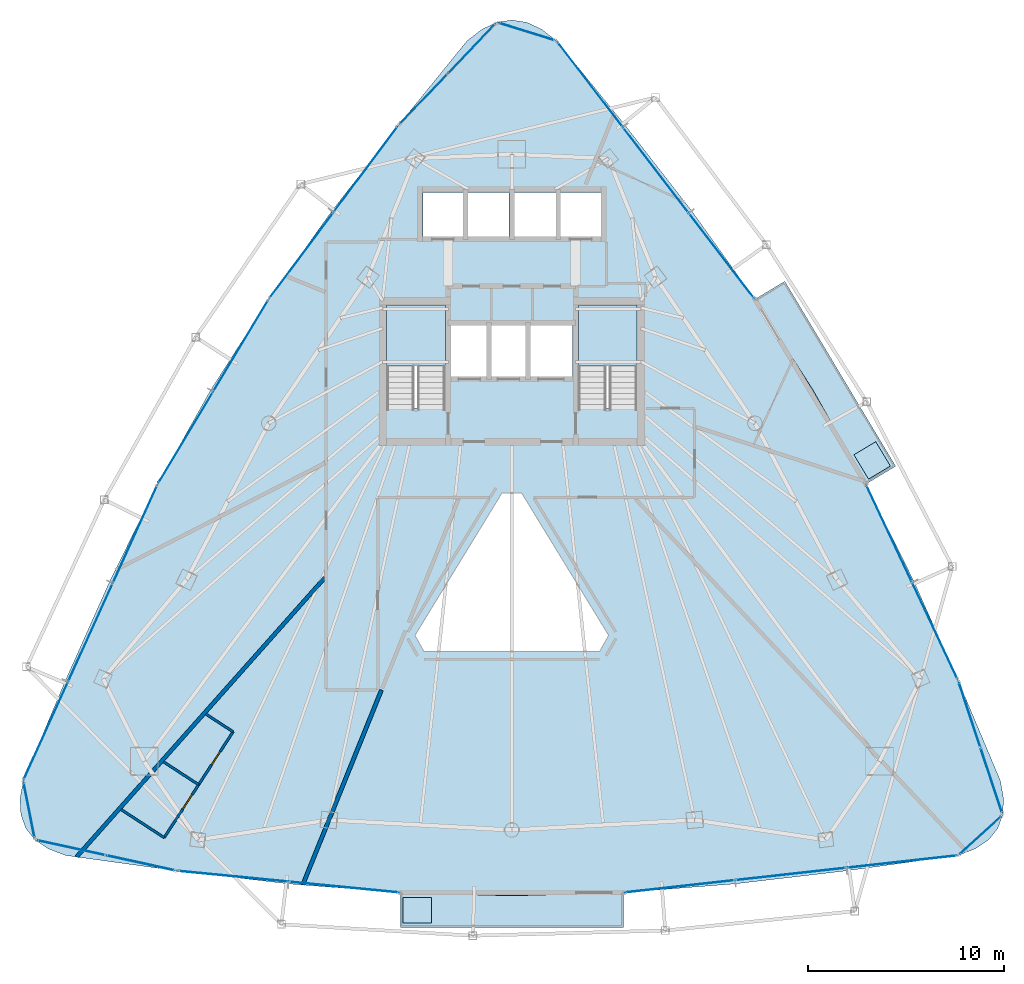
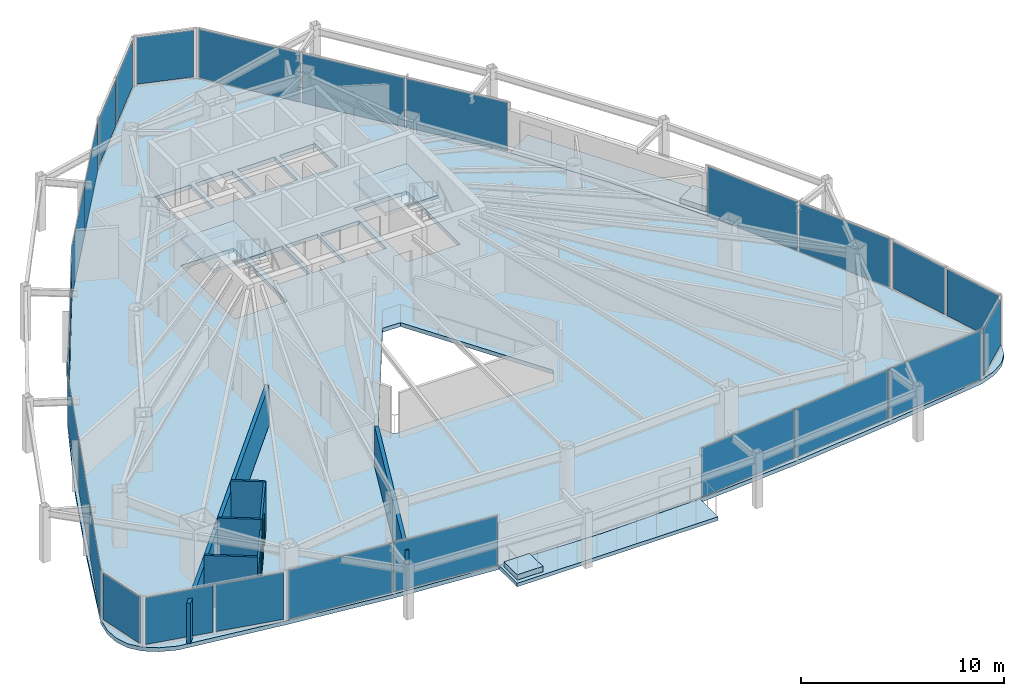
# One storey, part 26 of 31: 26 plates, 7 slabs, 7 walls, 2 doors, 2 openings, 15 elements without a shape of their own.
"""IFC4 building model written with IfcOpenShell, lengths in metres."""

from ifc_helpers import new_model, si_unit, direction, frame, frame_2d, origin, origin_2d, place, context, subcontext, project, spatial, polyline, rectangle, outline, extrude, material, layer, layer_set, type_object, element, fill, aggregate, save


model = new_model("IFC4")

# Units and contexts
model_context = context("Model", 3, precision=1e-05, world=origin(), true_north=direction((0.0, 1.0)))
body_context = subcontext(model_context, "Body", "Model", "MODEL_VIEW")
ifc_project = project(units=[si_unit("LENGTHUNIT", "METRE"), si_unit("AREAUNIT", "SQUARE_METRE"), si_unit("VOLUMEUNIT", "CUBIC_METRE"), si_unit("PLANEANGLEUNIT", "RADIAN"), si_unit("MASSUNIT", "GRAM", prefix="KILO")], contexts=[model_context])

# Site, building, storey
site_placement = place(None, origin())
site = spatial("IfcSite", under=ifc_project, at=site_placement, CompositionType="ELEMENT")
building_placement = place(site_placement, origin())
building = spatial("IfcBuilding", under=site, at=building_placement, Name="Orvanel Arch Residences", CompositionType="ELEMENT")
storey_placement = place(building_placement, frame((0.0, 0.0, 153.949951171875)))
storey = spatial("IfcBuildingStorey", under=building, at=storey_placement, Name="L43", CompositionType="ELEMENT", Elevation=153.949951171875)

# Curtain wall, plates
ifc_material_1 = material(Name="Bronze-anodised aluminium AA6063-T6", Category="aluminium")
ifc_layer_1 = layer(ifc_material_1, 0.179931640625)
ifc_layer_set_1 = layer_set([ifc_layer_1], Name="Bronze-anodised aluminium AA6063-T6")
curtain_wall_type_1 = type_object("IfcCurtainWallType", Name="CW3-MID-SYS", PredefinedType="NOTDEFINED", material=ifc_layer_set_1)
curtain_wall_1_placement = place(storey_placement, origin())
curtain_wall_1 = element("IfcCurtainWall", 1, at=curtain_wall_1_placement, inside=storey, type_object=curtain_wall_type_1, Name="L43 CW3-MID-SYS Unitised Curtain Wall", PredefinedType="NOTDEFINED")
ifc_material_2 = material(Name="Double-glazed solar-control low-E safety glass", Category="glass")
ifc_layer_2 = layer(ifc_material_2, 0.028076171875)
ifc_layer_set_2 = layer_set([ifc_layer_2], Name="Double-glazed solar-control low-E safety glass")
plate_type_1 = type_object("IfcPlateType", Name="PNL-GLZ-28", PredefinedType="CURTAIN_PANEL", material=ifc_layer_set_2)
plate_1_placement = place(storey_placement, frame((25.520751953125, 40.6259765625, 0.06005859375), z_axis=(0.0, 0.0, 1.0), x_axis=(-0.597911652775, -0.801562009751, 0.0)))
plate_1 = element("IfcPlate", 2, at=plate_1_placement, type_object=plate_type_1, Name="CW-S3 panel 1.1", PredefinedType="CURTAIN_PANEL", context=body_context, shape_type="SweptSolid", body=[
    extrude(rectangle(XDim=5.416748046875, YDim=0.028076171875, at=origin_2d()), origin(), (0.0, 0.0, 1.0), 2.93994140625),
])
plate_2_placement = place(storey_placement, frame((22.240234375, 36.22802734375, 0.06005859375), z_axis=(0.0, 0.0, 1.0), x_axis=(-0.597911652775, -0.801562009751, 0.0)))
plate_2 = element("IfcPlate", 3, at=plate_2_placement, type_object=plate_type_1, Name="CW-S3 panel 2.1", PredefinedType="CURTAIN_PANEL", context=body_context, shape_type="SweptSolid", body=[
    extrude(rectangle(XDim=5.416748046875, YDim=0.028076171875, at=origin_2d()), origin(), (0.0, 0.0, 1.0), 2.93994140625),
])
aggregate(curtain_wall_1, [plate_1, plate_2])

curtain_wall_2_placement = place(storey_placement, origin())
curtain_wall_2 = element("IfcCurtainWall", 4, at=curtain_wall_2_placement, inside=storey, type_object=curtain_wall_type_1, Name="L43 CW3-MID-SYS Unitised Curtain Wall", PredefinedType="NOTDEFINED")
plate_3_placement = place(storey_placement, frame((19.135009765625, 31.597412109375, 0.06005859375), z_axis=(0.0, 0.0, 1.0), x_axis=(-0.514415446021, -0.857541106242, 0.0)))
plate_3 = element("IfcPlate", 5, at=plate_3_placement, type_object=plate_type_1, Name="CW-S3 panel 1.1", PredefinedType="CURTAIN_PANEL", context=body_context, shape_type="SweptSolid", body=[
    extrude(rectangle(XDim=5.388671875, YDim=0.028076171875, at=origin_2d()), origin(), (0.0, 0.0, 1.0), 2.93994140625),
])
plate_4_placement = place(storey_placement, frame((16.326904296875, 26.91650390625, 0.06005859375), z_axis=(0.0, 0.0, 1.0), x_axis=(-0.514415446021, -0.857541106242, 0.0)))
plate_4 = element("IfcPlate", 6, at=plate_4_placement, type_object=plate_type_1, Name="CW-S3 panel 2.1", PredefinedType="CURTAIN_PANEL", context=body_context, shape_type="SweptSolid", body=[
    extrude(rectangle(XDim=5.388671875, YDim=0.028076171875, at=origin_2d()), origin(), (0.0, 0.0, 1.0), 2.93994140625),
])
aggregate(curtain_wall_2, [plate_3, plate_4])

curtain_wall_3_placement = place(storey_placement, origin())
curtain_wall_3 = element("IfcCurtainWall", 7, at=curtain_wall_3_placement, inside=storey, type_object=curtain_wall_type_1, Name="L43 CW3-MID-SYS Unitised Curtain Wall", PredefinedType="NOTDEFINED")
plate_5_placement = place(storey_placement, frame((13.73583984375, 21.97412109375, 0.06005859375), z_axis=(0.0, 0.0, 1.0), x_axis=(-0.413181425091, -0.910648730279, 0.0)))
plate_5 = element("IfcPlate", 8, at=plate_5_placement, type_object=plate_type_1, Name="CW-S3 panel 1.1", PredefinedType="CURTAIN_PANEL", context=body_context, shape_type="SweptSolid", body=[
    extrude(rectangle(XDim=5.431640625, YDim=0.028076171875, at=origin_2d()), origin(), (0.0, 0.0, 1.0), 2.93994140625),
])
plate_6_placement = place(storey_placement, frame((11.45556640625, 16.947998046875, 0.06005859375), z_axis=(0.0, 0.0, 1.0), x_axis=(-0.413181425091, -0.910648730279, 0.0)))
plate_6 = element("IfcPlate", 9, at=plate_6_placement, type_object=plate_type_1, Name="CW-S3 panel 2.1", PredefinedType="CURTAIN_PANEL", context=body_context, shape_type="SweptSolid", body=[
    extrude(rectangle(XDim=5.466796875, YDim=0.028076171875, at=origin_2d()), origin(), (0.0, 0.0, 1.0), 2.93994140625),
])
plate_7_placement = place(storey_placement, frame((9.175048828125, 11.921875, 0.06005859375), z_axis=(0.0, 0.0, 1.0), x_axis=(-0.413181425091, -0.910648730279, 0.0)))
plate_7 = element("IfcPlate", 10, at=plate_7_placement, type_object=plate_type_1, Name="CW-S3 panel 3.1", PredefinedType="CURTAIN_PANEL", context=body_context, shape_type="SweptSolid", body=[
    extrude(rectangle(XDim=5.431640625, YDim=0.028076171875, at=origin_2d()), origin(), (0.0, 0.0, 1.0), 2.93994140625),
])
aggregate(curtain_wall_3, [plate_5, plate_6, plate_7])

curtain_wall_4_placement = place(storey_placement, origin())
curtain_wall_4 = element("IfcCurtainWall", 11, at=curtain_wall_4_placement, inside=storey, type_object=curtain_wall_type_1, Name="L43 CW3-MID-SYS Unitised Curtain Wall", PredefinedType="NOTDEFINED")
plate_8_placement = place(storey_placement, frame((18.7666015625, 4.47314453125, 0.06005859375), z_axis=(0.0, 0.0, 1.0), x_axis=(0.995276078249, -0.097085158831, 0.0)))
plate_8 = element("IfcPlate", 12, at=plate_8_placement, type_object=plate_type_1, Name="CW-S3 panel 1.1", PredefinedType="CURTAIN_PANEL", context=body_context, shape_type="SweptSolid", body=[
    extrude(rectangle(XDim=5.6064453125, YDim=0.028076171875, at=origin_2d()), origin(), (0.0, 0.0, 1.0), 2.93994140625),
])
plate_9_placement = place(storey_placement, frame((24.416259765625, 3.921875, 0.06005859375), z_axis=(0.0, 0.0, 1.0), x_axis=(0.995276078249, -0.097085158831, 0.0)))
plate_9 = element("IfcPlate", 13, at=plate_9_placement, type_object=plate_type_1, Name="CW-S3 panel 2.1", PredefinedType="CURTAIN_PANEL", context=body_context, shape_type="SweptSolid", body=[
    extrude(rectangle(XDim=5.6064453125, YDim=0.028076171875, at=origin_2d()), origin(), (0.0, 0.0, 1.0), 2.93994140625),
])
aggregate(curtain_wall_4, [plate_8, plate_9])

curtain_wall_5_placement = place(storey_placement, origin())
curtain_wall_5 = element("IfcCurtainWall", 14, at=curtain_wall_5_placement, inside=storey, type_object=curtain_wall_type_1, Name="L43 CW3-MID-SYS Unitised Curtain Wall", PredefinedType="NOTDEFINED")
plate_10_placement = place(storey_placement, frame((41.5869140625, 3.9609375, 0.06005859375), z_axis=(0.0, 0.0, 1.0), x_axis=(0.993890122368, 0.110374021666, 0.0)))
plate_10 = element("IfcPlate", 15, at=plate_10_placement, type_object=plate_type_1, Name="CW-S3 panel 1.1", PredefinedType="CURTAIN_PANEL", context=body_context, shape_type="SweptSolid", body=[
    extrude(rectangle(XDim=5.62109375, YDim=0.028076171875, at=origin_2d()), origin(), (0.0, 0.0, 1.0), 2.93994140625),
])
plate_11_placement = place(storey_placement, frame((47.260498046875, 4.591064453125, 0.06005859375), z_axis=(0.0, 0.0, 1.0), x_axis=(0.993890122368, 0.110374021666, 0.0)))
plate_11 = element("IfcPlate", 16, at=plate_11_placement, type_object=plate_type_1, Name="CW-S3 panel 2.1", PredefinedType="CURTAIN_PANEL", context=body_context, shape_type="SweptSolid", body=[
    extrude(rectangle(XDim=5.656005859375, YDim=0.028076171875, at=origin_2d()), origin(), (0.0, 0.0, 1.0), 2.93994140625),
])
plate_12_placement = place(storey_placement, frame((52.93408203125, 5.220947265625, 0.06005859375), z_axis=(0.0, 0.0, 1.0), x_axis=(0.993890122368, 0.110374021666, 0.0)))
plate_12 = element("IfcPlate", 17, at=plate_12_placement, type_object=plate_type_1, Name="CW-S3 panel 3.1", PredefinedType="CURTAIN_PANEL", context=body_context, shape_type="SweptSolid", body=[
    extrude(rectangle(XDim=5.62109375, YDim=0.028076171875, at=origin_2d()), origin(), (0.0, 0.0, 1.0), 2.93994140625),
])
aggregate(curtain_wall_5, [plate_10, plate_11, plate_12])

curtain_wall_6_placement = place(storey_placement, origin())
curtain_wall_6 = element("IfcCurtainWall", 18, at=curtain_wall_6_placement, inside=storey, type_object=curtain_wall_type_1, Name="L43 CW3-MID-SYS Unitised Curtain Wall", PredefinedType="NOTDEFINED")
plate_13_placement = place(storey_placement, frame((54.631591796875, 17.031982421875, 0.06005859375), z_axis=(0.0, 0.0, 1.0), x_axis=(-0.425605144026, 0.90490897961, 0.0)))
plate_13 = element("IfcPlate", 19, at=plate_13_placement, type_object=plate_type_1, Name="CW-S3 panel 1.1", PredefinedType="CURTAIN_PANEL", context=body_context, shape_type="SweptSolid", body=[
    extrude(rectangle(XDim=5.41650390625, YDim=0.028076171875, at=origin_2d()), origin(), (0.0, 0.0, 1.0), 2.93994140625),
])
plate_14_placement = place(storey_placement, frame((52.29638671875, 21.996826171875, 0.06005859375), z_axis=(0.0, 0.0, 1.0), x_axis=(-0.425605144026, 0.90490897961, 0.0)))
plate_14 = element("IfcPlate", 20, at=plate_14_placement, type_object=plate_type_1, Name="CW-S3 panel 2.1", PredefinedType="CURTAIN_PANEL", context=body_context, shape_type="SweptSolid", body=[
    extrude(rectangle(XDim=5.41650390625, YDim=0.028076171875, at=origin_2d()), origin(), (0.0, 0.0, 1.0), 2.93994140625),
])
aggregate(curtain_wall_6, [plate_13, plate_14])

curtain_wall_7_placement = place(storey_placement, origin())
curtain_wall_7 = element("IfcCurtainWall", 21, at=curtain_wall_7_placement, inside=storey, type_object=curtain_wall_type_1, Name="L43 CW3-MID-SYS Unitised Curtain Wall", PredefinedType="NOTDEFINED")
plate_15_placement = place(storey_placement, frame((43.724609375, 36.210693359375, 0.06005859375), z_axis=(0.0, 0.0, 1.0), x_axis=(-0.608930688155, 0.793223434489, 0.0)))
plate_15 = element("IfcPlate", 22, at=plate_15_placement, type_object=plate_type_1, Name="CW-S3 panel 1.1", PredefinedType="CURTAIN_PANEL", context=body_context, shape_type="SweptSolid", body=[
    extrude(rectangle(XDim=5.431396484375, YDim=0.028076171875, at=origin_2d()), origin(), (0.0, 0.0, 1.0), 2.93994140625),
])
plate_16_placement = place(storey_placement, frame((40.364013671875, 40.58837890625, 0.06005859375), z_axis=(0.0, 0.0, 1.0), x_axis=(-0.608930688155, 0.793223434489, 0.0)))
plate_16 = element("IfcPlate", 23, at=plate_16_placement, type_object=plate_type_1, Name="CW-S3 panel 2.1", PredefinedType="CURTAIN_PANEL", context=body_context, shape_type="SweptSolid", body=[
    extrude(rectangle(XDim=5.466552734375, YDim=0.028076171875, at=origin_2d()), origin(), (0.0, 0.0, 1.0), 2.93994140625),
])
plate_17_placement = place(storey_placement, frame((37.00341796875, 44.96630859375, 0.06005859375), z_axis=(0.0, 0.0, 1.0), x_axis=(-0.608930688155, 0.793223434489, 0.0)))
plate_17 = element("IfcPlate", 24, at=plate_17_placement, type_object=plate_type_1, Name="CW-S3 panel 3.1", PredefinedType="CURTAIN_PANEL", context=body_context, shape_type="SweptSolid", body=[
    extrude(rectangle(XDim=5.431396484375, YDim=0.028076171875, at=origin_2d()), origin(), (0.0, 0.0, 1.0), 2.93994140625),
])
aggregate(curtain_wall_7, [plate_15, plate_16, plate_17])

# Curtain wall, plate
ifc_layer_3 = layer(ifc_material_1, 0.18994140625)
ifc_layer_set_3 = layer_set([ifc_layer_3], Name="Bronze-anodised aluminium AA6063-T6")
curtain_wall_type_2 = type_object("IfcCurtainWallType", Name="CW5-CRN-SYS", PredefinedType="NOTDEFINED", material=ifc_layer_set_3)
curtain_wall_8_placement = place(storey_placement, origin())
curtain_wall_8 = element("IfcCurtainWall", 25, at=curtain_wall_8_placement, inside=storey, type_object=curtain_wall_type_2, Name="L43 CW5-CRN-SYS Unitised Curtain Wall", PredefinedType="NOTDEFINED")
ifc_layer_4 = layer(ifc_material_2, 0.031982421875)
ifc_layer_set_4 = layer_set([ifc_layer_4], Name="Double-glazed solar-control low-E safety glass")
plate_type_2 = type_object("IfcPlateType", Name="PNL-GLZ-32", PredefinedType="CURTAIN_PANEL", material=ifc_layer_set_4)
plate_18_placement = place(storey_placement, frame((33.764892578125, 47.66796875, 0.1298828125), z_axis=(0.0, 0.0, 1.0), x_axis=(-0.954872708799, 0.297015336288, 0.0)))
plate_18 = element("IfcPlate", 26, at=plate_18_placement, type_object=plate_type_2, Name="CW-S5 panel 1.1", PredefinedType="CURTAIN_PANEL", context=body_context, shape_type="SweptSolid", body=[
    extrude(rectangle(XDim=2.86474609375, YDim=0.031982421875, at=origin_2d()), origin(), (0.0, 0.0, 1.0), 2.800048828125),
])
aggregate(curtain_wall_8, [plate_18])

# Curtain wall, plates
curtain_wall_9_placement = place(storey_placement, origin())
curtain_wall_9 = element("IfcCurtainWall", 27, at=curtain_wall_9_placement, inside=storey, type_object=curtain_wall_type_2, Name="L43 CW5-CRN-SYS Unitised Curtain Wall", PredefinedType="NOTDEFINED")
plate_19_placement = place(storey_placement, frame((30.94189453125, 46.791015625, 0.1298828125), z_axis=(0.0, 0.0, 1.0), x_axis=(-0.69080014446, -0.723045752642, 0.0)))
plate_19 = element("IfcPlate", 28, at=plate_19_placement, type_object=plate_type_2, Name="CW-S5 panel 1.1", PredefinedType="CURTAIN_PANEL", context=body_context, shape_type="SweptSolid", body=[
    extrude(rectangle(XDim=3.4033203125, YDim=0.031982421875, at=origin_2d()), origin(), (0.0, 0.0, 1.0), 2.800048828125),
])
plate_20_placement = place(storey_placement, frame((28.487060546875, 44.221923828125, 0.1298828125), z_axis=(0.0, 0.0, 1.0), x_axis=(-0.69080014446, -0.723045752642, 0.0)))
plate_20 = element("IfcPlate", 29, at=plate_20_placement, type_object=plate_type_2, Name="CW-S5 panel 2.1", PredefinedType="CURTAIN_PANEL", context=body_context, shape_type="SweptSolid", body=[
    extrude(rectangle(XDim=3.4033203125, YDim=0.031982421875, at=origin_2d()), origin(), (0.0, 0.0, 1.0), 2.800048828125),
])
aggregate(curtain_wall_9, [plate_19, plate_20])

# Curtain wall, plate
curtain_wall_10_placement = place(storey_placement, origin())
curtain_wall_10 = element("IfcCurtainWall", 30, at=curtain_wall_10_placement, inside=storey, type_object=curtain_wall_type_2, Name="L43 CW5-CRN-SYS Unitised Curtain Wall", PredefinedType="NOTDEFINED")
plate_21_placement = place(storey_placement, frame((8.3173828125, 7.853515625, 0.1298828125), z_axis=(0.0, 0.0, 1.0), x_axis=(0.195358384081, -0.980731921459, 0.0)))
plate_21 = element("IfcPlate", 31, at=plate_21_placement, type_object=plate_type_2, Name="CW-S5 panel 1.1", PredefinedType="CURTAIN_PANEL", context=body_context, shape_type="SweptSolid", body=[
    extrude(rectangle(XDim=2.74560546875, YDim=0.031982421875, at=origin_2d()), origin(), (0.0, 0.0, 1.0), 2.800048828125),
])
aggregate(curtain_wall_10, [plate_21])

# Curtain wall, plates
curtain_wall_11_placement = place(storey_placement, origin())
curtain_wall_11 = element("IfcCurtainWall", 32, at=curtain_wall_11_placement, inside=storey, type_object=curtain_wall_type_2, Name="L43 CW5-CRN-SYS Unitised Curtain Wall", PredefinedType="NOTDEFINED")
plate_22_placement = place(storey_placement, frame((10.482666015625, 5.93359375, 0.1298828125), z_axis=(0.0, 0.0, 1.0), x_axis=(0.976988114097, -0.213293752637, 0.0)))
plate_22 = element("IfcPlate", 33, at=plate_22_placement, type_object=plate_type_2, Name="CW-S5 panel 1.1", PredefinedType="CURTAIN_PANEL", context=body_context, shape_type="SweptSolid", body=[
    extrude(rectangle(XDim=3.47412109375, YDim=0.031982421875, at=origin_2d()), origin(), (0.0, 0.0, 1.0), 2.800048828125),
])
plate_23_placement = place(storey_placement, frame((14.0234375, 5.160400390625, 0.1298828125), z_axis=(0.0, 0.0, 1.0), x_axis=(0.976988114097, -0.213293752637, 0.0)))
plate_23 = element("IfcPlate", 34, at=plate_23_placement, type_object=plate_type_2, Name="CW-S5 panel 2.1", PredefinedType="CURTAIN_PANEL", context=body_context, shape_type="SweptSolid", body=[
    extrude(rectangle(XDim=3.47412109375, YDim=0.031982421875, at=origin_2d()), origin(), (0.0, 0.0, 1.0), 2.800048828125),
])
aggregate(curtain_wall_11, [plate_22, plate_23])

# Curtain wall, plate
curtain_wall_12_placement = place(storey_placement, origin())
curtain_wall_12 = element("IfcCurtainWall", 35, at=curtain_wall_12_placement, inside=storey, type_object=curtain_wall_type_2, Name="L43 CW5-CRN-SYS Unitised Curtain Wall", PredefinedType="NOTDEFINED")
plate_24_placement = place(storey_placement, frame((56.9599609375, 6.57861328125, 0.1298828125), z_axis=(0.0, 0.0, 1.0), x_axis=(0.740251787651, 0.672329748621, 0.0)))
plate_24 = element("IfcPlate", 36, at=plate_24_placement, type_object=plate_type_2, Name="CW-S5 panel 1.1", PredefinedType="CURTAIN_PANEL", context=body_context, shape_type="SweptSolid", body=[
    extrude(rectangle(XDim=2.74755859375, YDim=0.031982421875, at=origin_2d()), origin(), (0.0, 0.0, 1.0), 2.800048828125),
])
aggregate(curtain_wall_12, [plate_24])

# Curtain wall, plates
curtain_wall_13_placement = place(storey_placement, origin())
curtain_wall_13 = element("IfcCurtainWall", 37, at=curtain_wall_13_placement, inside=storey, type_object=curtain_wall_type_2, Name="L43 CW5-CRN-SYS Unitised Curtain Wall", PredefinedType="NOTDEFINED")
plate_25_placement = place(storey_placement, frame((57.518310546875, 9.382080078125, 0.1298828125), z_axis=(0.0, 0.0, 1.0), x_axis=(-0.314480118, 0.949264059882, 0.0)))
plate_25 = element("IfcPlate", 38, at=plate_25_placement, type_object=plate_type_2, Name="CW-S5 panel 1.1", PredefinedType="CURTAIN_PANEL", context=body_context, shape_type="SweptSolid", body=[
    extrude(rectangle(XDim=3.380859375, YDim=0.031982421875, at=origin_2d()), origin(), (0.0, 0.0, 1.0), 2.800048828125),
])
plate_26_placement = place(storey_placement, frame((56.40771484375, 12.73388671875, 0.1298828125), z_axis=(0.0, 0.0, 1.0), x_axis=(-0.314480118, 0.949264059882, 0.0)))
plate_26 = element("IfcPlate", 39, at=plate_26_placement, type_object=plate_type_2, Name="CW-S5 panel 2.1", PredefinedType="CURTAIN_PANEL", context=body_context, shape_type="SweptSolid", body=[
    extrude(rectangle(XDim=3.380859375, YDim=0.031982421875, at=origin_2d()), origin(), (0.0, 0.0, 1.0), 2.800048828125),
])
aggregate(curtain_wall_13, [plate_25, plate_26])

# Slabs
ifc_material_3 = material(Name="Concrete N40 (40 MPa)", Category="concrete")
ifc_layer_5 = layer(ifc_material_3, 0.215087890625)
ifc_layer_set_5 = layer_set([ifc_layer_5], Name="Concrete N40 (40 MPa)")
slab_type_1 = type_object("IfcSlabType", Name="SLB-BAL-215", PredefinedType="FLOOR", material=ifc_layer_set_5)
slab_1_placement = place(storey_placement, frame((0.0, 0.0, -0.21484375)))
element("IfcSlab", 40, at=slab_1_placement, inside=storey, type_object=slab_type_1, Name="L43 Cantilevered Balcony Slab Face 2", PredefinedType="FLOOR", context=body_context, shape_type="SweptSolid", body=[
    extrude(outline(polyline([(27.2958984375, 1.861083984375), (38.7041015625, 1.861083984375), (38.7041015625, 3.64111328125), (33.0, 3.48388671875), (27.2958984375, 3.64111328125), (27.2958984375, 1.861083984375)])), origin(), (0.0, 0.0, 1.0), 0.21484375),
])
slab_2_placement = place(storey_placement, frame((0.0, 0.0, -0.21484375)))
element("IfcSlab", 41, at=slab_2_placement, inside=storey, type_object=slab_type_1, Name="L43 Cantilevered Balcony Slab Face 3", PredefinedType="FLOOR", context=body_context, shape_type="SweptSolid", body=[
    extrude(outline(polyline([(52.632080078125, 25.444091796875), (46.958984375, 34.90087890625), (45.43310546875, 33.985107421875), (48.403076171875, 29.3369140625), (51.10498046875, 24.529052734375), (52.632080078125, 25.444091796875)])), origin(), (0.0, 0.0, 1.0), 0.21484375),
])

# Stair, slab
ifc_material_4 = material(Name="Precast concrete N50 (50 MPa)", Category="concrete")
stair_type = type_object("IfcStairType", Name="STR-DOG-184", PredefinedType="USERDEFINED", material=ifc_material_4)
stair_1_placement = place(storey_placement, origin())
stair_1 = element("IfcStair", 42, at=stair_1_placement, inside=storey, type_object=stair_type, Name="L43 Fire-Isolated Core Exit Stair 1", ObjectType="TWO_RETURN_STAIR", PredefinedType="USERDEFINED")
ifc_layer_6 = layer(ifc_material_3, 0.199951171875)
ifc_layer_set_6 = layer_set([ifc_layer_6], Name="Concrete N40 (40 MPa)")
slab_type_2 = type_object("IfcSlabType", Name="SLB-LND-200", PredefinedType="LANDING", material=ifc_layer_set_6)
slab_3_placement = place(storey_placement, frame((0.0, 0.0, 1.449951171875)))
slab_3 = element("IfcSlab", 43, at=slab_3_placement, type_object=slab_type_2, Name="ST-1 landing 1", PredefinedType="LANDING", context=body_context, shape_type="SweptSolid", body=[
    extrude(outline(polyline([(29.60009765625, 30.56005859375), (29.60009765625, 33.699951171875), (26.60009765625, 33.699951171875), (26.60009765625, 30.56005859375), (29.60009765625, 30.56005859375)])), origin(), (0.0, 0.0, 1.0), 0.2001953125),
])
aggregate(stair_1, [slab_3])

stair_2_placement = place(storey_placement, origin())
stair_2 = element("IfcStair", 44, at=stair_2_placement, inside=storey, type_object=stair_type, Name="L43 Fire-Isolated Core Exit Stair 2", ObjectType="TWO_RETURN_STAIR", PredefinedType="USERDEFINED")
slab_4_placement = place(storey_placement, frame((0.0, 0.0, 1.449951171875)))
slab_4 = element("IfcSlab", 45, at=slab_4_placement, type_object=slab_type_2, Name="ST-2 landing 1", PredefinedType="LANDING", context=body_context, shape_type="SweptSolid", body=[
    extrude(outline(polyline([(39.39990234375, 30.56005859375), (39.39990234375, 33.699951171875), (36.39990234375, 33.699951171875), (36.39990234375, 30.56005859375), (39.39990234375, 30.56005859375)])), origin(), (0.0, 0.0, 1.0), 0.2001953125),
])
aggregate(stair_2, [slab_4])

# Slabs
ifc_material_5 = material(Name="Structural architectural precast concrete N40 (40 MPa) planter", Category="concrete")
ifc_layer_7 = layer(ifc_material_5, 0.320068359375)
ifc_layer_set_7 = layer_set([ifc_layer_7], Name="Structural architectural precast concrete N40 (40 MPa) planter")
slab_type_3 = type_object("IfcSlabType", Name="SLB-PLN-320", PredefinedType="USERDEFINED", material=ifc_layer_set_7)
slab_5_placement = place(storey_placement, origin())
element("IfcSlab", 46, at=slab_5_placement, inside=storey, type_object=slab_type_3, Name="L43 Balcony TREE PLANTER Face 2", ObjectType="PLANTER", PredefinedType="USERDEFINED", context=body_context, shape_type="SweptSolid", body=[
    extrude(outline(polyline([(27.446044921875, 2.091064453125), (28.89599609375, 2.091064453125), (28.89599609375, 3.39111328125), (27.446044921875, 3.39111328125), (27.446044921875, 2.091064453125)])), origin(), (0.0, 0.0, 1.0), 0.320068359375),
])
slab_6_placement = place(storey_placement, origin())
element("IfcSlab", 47, at=slab_6_placement, inside=storey, type_object=slab_type_3, Name="L43 Balcony TREE PLANTER Face 3", ObjectType="PLANTER", PredefinedType="USERDEFINED", context=body_context, shape_type="SweptSolid", body=[
    extrude(outline(polyline([(52.35693359375, 25.455078125), (51.611083984375, 26.697998046875), (50.49609375, 26.029052734375), (51.241943359375, 24.785888671875), (52.35693359375, 25.455078125)])), origin(), (0.0, 0.0, 1.0), 0.320068359375),
])
ifc_layer_8 = layer(ifc_material_3, 0.239990234375)
ifc_layer_set_8 = layer_set([ifc_layer_8], Name="Concrete N40 (40 MPa)")
slab_type_4 = type_object("IfcSlabType", Name="SLB-TYP-240", PredefinedType="FLOOR", material=ifc_layer_set_8)
slab_7_placement = place(storey_placement, frame((0.0, 0.0, -0.239990234375)))
element("IfcSlab", 48, at=slab_7_placement, inside=storey, type_object=slab_type_4, Name="L43 Tower Floor Slab", PredefinedType="FLOOR", context=body_context, shape_type="SweptSolid", body=[
    extrude(outline(polyline([(35.294921875, 47.19189453125), (34.530029296875, 47.787109375), (33.764892578125, 48.14404296875), (33.0, 48.262939453125), (32.235107421875, 48.14404296875), (31.469970703125, 47.787109375), (30.7041015625, 47.19189453125), (27.194091796875, 42.868896484375), (23.784912109375, 38.48388671875), (20.56689453125, 33.985107421875), (17.596923828125, 29.3369140625), (14.89501953125, 24.529052734375), (12.44091796875, 19.572021484375), (10.177001953125, 14.5), (8.01611328125, 9.366943359375), (7.85107421875, 8.431884765625), (7.89697265625, 7.615966796875), (8.153076171875, 6.91796875), (8.618896484375, 6.340087890625), (9.2958984375, 5.881103515625), (10.18310546875, 5.541015625), (15.886962890625, 4.75390625), (21.591064453125, 4.0869140625), (27.2958984375, 3.64111328125), (33.0, 3.48388671875), (38.7041015625, 3.64111328125), (44.408935546875, 4.0869140625), (50.113037109375, 4.75390625), (55.81689453125, 5.541015625), (56.7041015625, 5.881103515625), (57.381103515625, 6.340087890625), (57.846923828125, 6.91796875), (58.10302734375, 7.615966796875), (58.14892578125, 8.431884765625), (57.98388671875, 9.366943359375), (55.822998046875, 14.5), (53.55908203125, 19.572021484375), (51.10498046875, 24.529052734375), (48.403076171875, 29.3369140625), (45.43310546875, 33.985107421875), (42.215087890625, 38.48388671875), (38.805908203125, 42.868896484375), (35.294921875, 47.19189453125)]), holes=[polyline([(26.60009765625, 28.429931640625), (26.60009765625, 33.699951171875), (29.60009765625, 33.699951171875), (29.60009765625, 28.429931640625), (26.60009765625, 28.429931640625)]), polyline([(36.39990234375, 28.429931640625), (36.39990234375, 33.699951171875), (39.39990234375, 33.699951171875), (39.39990234375, 28.429931640625), (36.39990234375, 28.429931640625)]), polyline([(29.89990234375, 32.64990234375), (31.75, 32.64990234375), (31.75, 29.949951171875), (29.89990234375, 29.949951171875), (29.89990234375, 32.64990234375)]), polyline([(31.89990234375, 32.64990234375), (33.75, 32.64990234375), (33.75, 29.949951171875), (31.89990234375, 29.949951171875), (31.89990234375, 32.64990234375)]), polyline([(33.89990234375, 32.64990234375), (36.10009765625, 32.64990234375), (36.10009765625, 29.949951171875), (33.89990234375, 29.949951171875), (33.89990234375, 32.64990234375)]), polyline([(28.449951171875, 39.449951171875), (30.5, 39.449951171875), (30.5, 37.199951171875), (28.449951171875, 37.199951171875), (28.449951171875, 39.449951171875)]), polyline([(35.5, 39.449951171875), (37.550048828125, 39.449951171875), (37.550048828125, 37.199951171875), (35.5, 37.199951171875), (35.5, 39.449951171875)]), polyline([(30.75, 39.449951171875), (32.85009765625, 39.449951171875), (32.85009765625, 37.199951171875), (30.75, 37.199951171875), (30.75, 39.449951171875)]), polyline([(33.14990234375, 39.449951171875), (35.25, 39.449951171875), (35.25, 37.199951171875), (33.14990234375, 37.199951171875), (33.14990234375, 39.449951171875)]), polyline([(37.9541015625, 16.7958984375), (37.492919921875, 15.97509765625), (28.506103515625, 15.97509765625), (28.0458984375, 16.7958984375), (32.498046875, 24.0791015625), (33.501953125, 24.0791015625), (37.9541015625, 16.7958984375)])]), origin(), (0.0, 0.0, 1.0), 0.239990234375),
])

# Walls
ifc_material_6 = material(Name="Fire-rated plasterboard lined steel stud partition", Category="steel")
ifc_layer_9 = layer(ifc_material_6, 0.199951171875)
ifc_layer_set_9 = layer_set([ifc_layer_9], Name="Fire-rated plasterboard lined steel stud partition")
wall_type_1 = type_object("IfcWallType", Name="W-DEM-200", PredefinedType="PARTITIONING", material=ifc_layer_set_9)
wall_1_placement = place(storey_placement, frame((22.31103515625, 4.044921875, 0.0), z_axis=(0.0, 0.0, 1.0), x_axis=(0.374673572515, 0.92715679044, 0.0)))
element("IfcWall", 49, at=wall_1_placement, inside=storey, type_object=wall_type_1, Name="L43 Inter-Tenancy Acoustic Demising Wall", PredefinedType="PARTITIONING", context=body_context, shape_type="SweptSolid", body=[
    extrude(rectangle(XDim=10.7373046875, YDim=0.199951171875, at=frame_2d((5.36865234375, 0.0))), origin(), (0.0, 0.0, 1.0), 2.4130859375),
])
wall_2_placement = place(storey_placement, frame((23.43994140625, 19.7470703125, 0.0), z_axis=(0.0, 0.0, 1.0), x_axis=(-0.664444771995, -0.747337370248, 0.0)))
element("IfcWall", 50, at=wall_2_placement, inside=storey, type_object=wall_type_1, Name="L43 Inter-Tenancy Acoustic Demising Wall", PredefinedType="PARTITIONING", context=body_context, shape_type="SweptSolid", body=[
    extrude(rectangle(XDim=19.09716796875, YDim=0.199951171875, at=frame_2d((9.548583984375, 0.0))), origin(), (0.0, 0.0, 1.0), 2.4130859375),
])

# Wall, opening, door
ifc_material_7 = material(Name="Acoustic plasterboard lined twin-stud partition", Category="gypsum")
ifc_layer_10 = layer(ifc_material_7, 0.1201171875)
ifc_layer_set_10 = layer_set([ifc_layer_10], Name="Acoustic plasterboard lined twin-stud partition")
wall_type_2 = type_object("IfcWallType", Name="W-WET-120", PredefinedType="PARTITIONING", material=ifc_layer_set_10)
wall_3_placement = place(storey_placement, frame((16.986083984375, 9.159912109375, 0.0), z_axis=(0.0, 0.0, 1.0), x_axis=(0.545222266406, 0.8382915246, 0.0)))
wall_3 = element("IfcWall", 51, at=wall_3_placement, inside=storey, type_object=wall_type_2, Name="L43 Studio A Bathroom Partition", PredefinedType="PARTITIONING", context=body_context, shape_type="SweptSolid", body=[
    extrude(rectangle(XDim=3.22802734375, YDim=0.1201171875, at=frame_2d((1.614013671875, 0.0))), origin(), (0.0, 0.0, 1.0), 3.06005859375),
])
opening_1_placement = place(wall_3_placement, frame((1.2041015625, 0.0, 0.0)))
opening_1 = element("IfcOpeningElement", 52, at=opening_1_placement, cuts=wall_3, Name="Opening DW-082", PredefinedType="OPENING", context=body_context, shape_type="SweptSolid", body=[
    extrude(rectangle(XDim=0.820068359375, YDim=2.10009765625, at=frame_2d((0.41015625, 1.050048828125))), frame((0.0, 0.070068359375, 0.0), z_axis=(0.0, -1.0, 0.0), x_axis=(1.0, 0.0, 0.0)), (0.0, 0.0, 1.0), 0.14013671875),
])
ifc_material_8 = material(Name="Solid-core European oak veneer fire door leaf", Category="wood")
door_type_1 = type_object("IfcDoorType", Name="DR-WET-820", OperationType="NOTDEFINED", PredefinedType="DOOR", material=ifc_material_8)
door_1_placement = place(opening_1_placement, origin())
door_1 = element("IfcDoor", 53, at=door_1_placement, inside=storey, type_object=door_type_1, Name="DR-L43-A-BATH L43 Studio A Bathroom Door", OperationType="SINGLE_SWING_RIGHT", OverallHeight=2.10009765625, OverallWidth=0.820068359375, PredefinedType="DOOR", context=body_context, shape_type="SweptSolid", body=[
    extrude(rectangle(XDim=0.820068359375, YDim=2.10009765625, at=frame_2d((0.41015625, 1.050048828125))), frame((0.0, 0.02490234375, 0.0), z_axis=(0.0, -1.0, 0.0), x_axis=(1.0, 0.0, 0.0)), (0.0, 0.0, 1.0), 0.050048828125),
])
fill(opening_1, door_1)

# Walls
wall_4_placement = place(storey_placement, frame((18.74609375, 11.865966796875, 0.0), z_axis=(0.0, 0.0, 1.0), x_axis=(-0.838034005253, 0.545618003771, 0.0)))
element("IfcWall", 54, at=wall_4_placement, inside=storey, type_object=wall_type_2, Name="L43 Studio A Bathroom Partition", PredefinedType="PARTITIONING", context=body_context, shape_type="SweptSolid", body=[
    extrude(rectangle(XDim=1.662353515625, YDim=0.1201171875, at=frame_2d((0.8310546875, 0.0))), origin(), (0.0, 0.0, 1.0), 3.06005859375),
])
wall_5_placement = place(storey_placement, frame((13.013916015625, 7.89306640625, 0.0), z_axis=(0.0, 0.0, 1.0), x_axis=(0.838149605573, -0.545440407999, 0.0)))
element("IfcWall", 55, at=wall_5_placement, inside=storey, type_object=wall_type_2, Name="L43 Studio A Internal Partition", PredefinedType="PARTITIONING", context=body_context, shape_type="SweptSolid", body=[
    extrude(rectangle(XDim=2.63818359375, YDim=0.1201171875, at=frame_2d((1.319091796875, 0.0))), origin(), (0.0, 0.0, 1.0), 3.06005859375),
])

# Wall, opening, door
wall_6_placement = place(storey_placement, frame((15.22509765625, 6.4541015625, 0.0), z_axis=(0.0, 0.0, 1.0), x_axis=(0.54546937792, 0.838130752181, 0.0)))
wall_6 = element("IfcWall", 56, at=wall_6_placement, inside=storey, type_object=wall_type_2, Name="L43 Studio A Internal Partition", PredefinedType="PARTITIONING", context=body_context, shape_type="SweptSolid", body=[
    extrude(rectangle(XDim=3.228271484375, YDim=0.1201171875, at=frame_2d((1.6142578125, 0.0))), origin(), (0.0, 0.0, 1.0), 2.4130859375),
])
opening_2_placement = place(wall_6_placement, frame((1.743896484375, 0.0, 0.0)))
opening_2 = element("IfcOpeningElement", 57, at=opening_2_placement, cuts=wall_6, Name="Opening DI-088", PredefinedType="OPENING", context=body_context, shape_type="SweptSolid", body=[
    extrude(rectangle(XDim=0.8798828125, YDim=2.10009765625, at=frame_2d((0.43994140625, 1.050048828125))), frame((0.0, 0.070068359375, 0.0), z_axis=(0.0, -1.0, 0.0), x_axis=(1.0, 0.0, 0.0)), (0.0, 0.0, 1.0), 0.14013671875),
])
door_type_2 = type_object("IfcDoorType", Name="DR-INT-880", OperationType="NOTDEFINED", PredefinedType="DOOR", material=ifc_material_8)
door_2_placement = place(opening_2_placement, origin())
door_2 = element("IfcDoor", 58, at=door_2_placement, inside=storey, type_object=door_type_2, Name="DR-L43-A-KIT L43 Studio A Kitchenette Door", OperationType="SINGLE_SWING_LEFT", OverallHeight=2.10009765625, OverallWidth=0.8798828125, PredefinedType="DOOR", context=body_context, shape_type="SweptSolid", body=[
    extrude(rectangle(XDim=0.8798828125, YDim=2.10009765625, at=frame_2d((0.43994140625, 1.050048828125))), frame((0.0, 0.02490234375, 0.0), z_axis=(0.0, -1.0, 0.0), x_axis=(1.0, 0.0, 0.0)), (0.0, 0.0, 1.0), 0.050048828125),
])
fill(opening_2, door_2)

# Wall
wall_7_placement = place(storey_placement, frame((16.986083984375, 9.159912109375, 0.0), z_axis=(0.0, 0.0, 1.0), x_axis=(-0.838062073647, 0.545574890106, 0.0)))
element("IfcWall", 59, at=wall_7_placement, inside=storey, type_object=wall_type_2, Name="L43 Studio A Bathroom Partition", PredefinedType="PARTITIONING", context=body_context, shape_type="SweptSolid", body=[
    extrude(rectangle(XDim=2.150146484375, YDim=0.1201171875, at=frame_2d((1.0751953125, 0.0))), origin(), (0.0, 0.0, 1.0), 3.06005859375),
])

save(model, "model.ifc")
